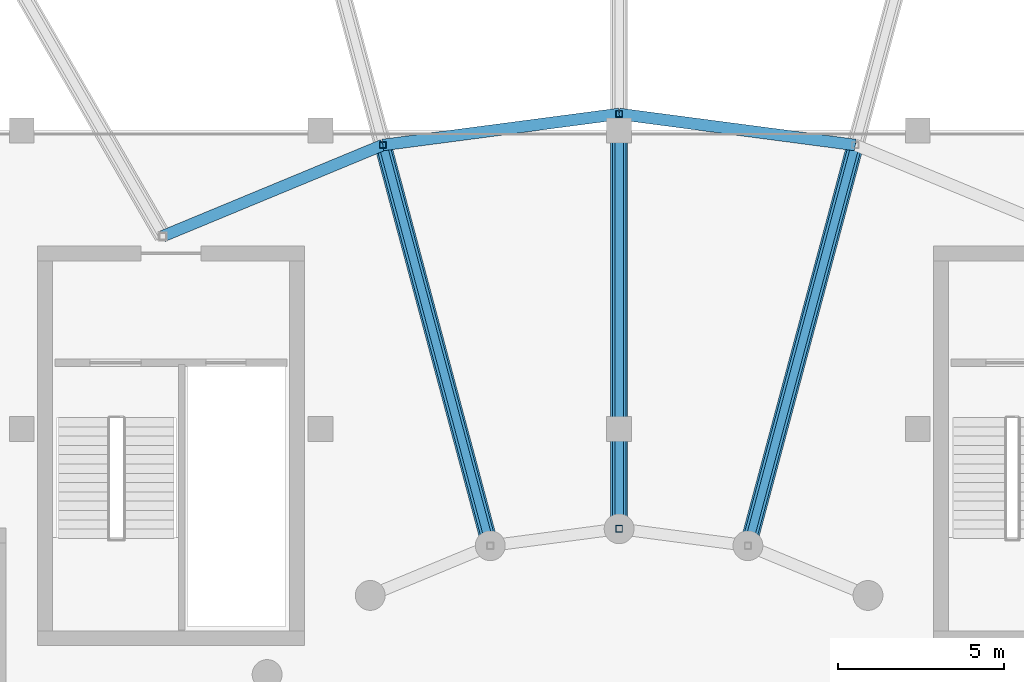
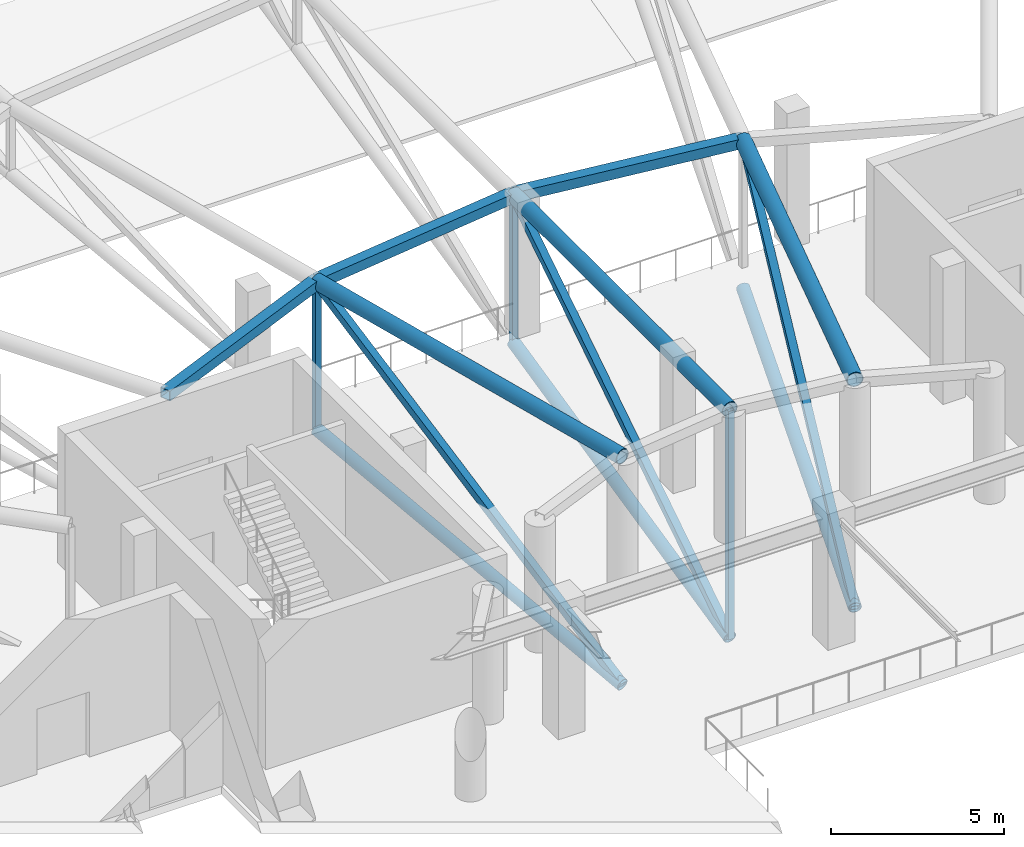
# One storey, part 75 of 167: 15 members.
"""IFC4 building model written with IfcOpenShell, lengths in metres."""

from ifc_helpers import new_model, si_unit, direction, frame, origin, origin_2d, place, context, subcontext, project, spatial, hollow_rectangle, hollow_circle, extrude, material, material_profile, profile_set, type_object, element, save


model = new_model("IFC4")

# Units and contexts
model_context = context("Model", 3, precision=1e-05, world=origin(), true_north=direction((0.0, 1.0)))
body_context = subcontext(model_context, "Body", "Model", "MODEL_VIEW")
ifc_project = project(units=[si_unit("LENGTHUNIT", "METRE"), si_unit("AREAUNIT", "SQUARE_METRE"), si_unit("VOLUMEUNIT", "CUBIC_METRE"), si_unit("PLANEANGLEUNIT", "RADIAN"), si_unit("MASSUNIT", "GRAM", prefix="KILO")], contexts=[model_context])

# Site, building, storey
site_placement = place(None, origin())
site = spatial("IfcSite", under=ifc_project, at=site_placement, CompositionType="ELEMENT")
building_placement = place(site_placement, origin())
building = spatial("IfcBuilding", under=site, at=building_placement, Name="Dornveld Trade and Exhibition Forum", CompositionType="ELEMENT")
storey_placement = place(building_placement, frame((0.0, 0.0, 16.800048828125)))
storey = spatial("IfcBuildingStorey", under=building, at=storey_placement, Name="L03", CompositionType="ELEMENT", Elevation=16.800048828125)

# Members
ifc_material_1 = material(Name="Steel S355J2", Category="steel")
ifc_material_profile_1 = material_profile(ifc_material_1, hollow_circle(Radius=0.203125, WallThickness=0.02001953125, at=origin_2d()), Name="CHS 406.4x20")
ifc_profile_set_1 = profile_set([ifc_material_profile_1], Name="Steel S355J2")
member_type_1 = type_object("IfcMemberType", Name="MEM-DISC-BC", PredefinedType="CHORD", material=ifc_profile_set_1)
member_1_placement = place(storey_placement, frame((120.88232421875, 95.489013671875, -3.60009765625), z_axis=(0.252388398321, 0.941956700549, 0.221399346622), x_axis=(-0.965927912762, 0.258811258154, 0.0)))
element("IfcMember", 1, at=member_1_placement, inside=storey, type_object=member_type_1, Name="Roof disc radial R06 conical bottom chord 1", PredefinedType="CHORD", context=body_context, shape_type="SweptSolid", body=[
    extrude(hollow_circle(Radius=0.203125, WallThickness=0.02001953125, at=origin_2d()), origin(), (0.0, 0.0, 1.0), 12.81787109375),
])
member_2_placement = place(storey_placement, frame((117.0, 96.0, -3.60009765625), z_axis=(0.0, 0.975183720687, 0.221397179087), x_axis=(-1.0, 0.0, 0.0)))
element("IfcMember", 2, at=member_2_placement, inside=storey, type_object=member_type_1, Name="Roof disc radial R07 conical bottom chord 1", PredefinedType="CHORD", context=body_context, shape_type="SweptSolid", body=[
    extrude(hollow_circle(Radius=0.203125, WallThickness=0.02001953125, at=origin_2d()), origin(), (0.0, 0.0, 1.0), 12.818115234375),
])
member_3_placement = place(storey_placement, frame((113.11767578125, 95.489013671875, -3.60009765625), z_axis=(-0.252388398321, 0.941956700549, 0.221399346622), x_axis=(-0.965927912762, -0.258811258154, 0.0)))
element("IfcMember", 3, at=member_3_placement, inside=storey, type_object=member_type_1, Name="Roof disc radial R08 conical bottom chord 1", PredefinedType="CHORD", context=body_context, shape_type="SweptSolid", body=[
    extrude(hollow_circle(Radius=0.203125, WallThickness=0.02001953125, at=origin_2d()), origin(), (0.0, 0.0, 1.0), 12.81787109375),
])
ifc_material_2 = material(Name="Steel S355J2", Category="steel")
ifc_material_profile_2 = material_profile(ifc_material_2, hollow_rectangle(XDim=0.35009765625, YDim=0.35009765625, WallThickness=0.01611328125, at=origin_2d()), Name="SHS 350x350x16")
ifc_profile_set_2 = profile_set([ifc_material_profile_2], Name="Steel S355J2")
member_type_2 = type_object("IfcMemberType", Name="MEM-DISC-RING", PredefinedType="CHORD", material=ifc_profile_set_2)
for number, where, z_axis, x_axis, name in (
    (4, (124.117431640625, 107.56298828125, 4.449951171875), (-0.99144514859, 0.130524010575, 0.0), (-0.130524010575, -0.99144514859, 0.0), "Roof disc ring 2 chord 6"),
    (5, (117.0, 108.5, 4.449951171875), (-0.99144514859, -0.130524010575, 0.0), (0.130524010575, -0.99144514859, 0.0), "Roof disc ring 2 chord 7"),
    (6, (109.882568359375, 107.56298828125, 4.449951171875), (-0.923878809288, -0.382685178375, 0.0), (0.382685178375, -0.923878809288, 0.0), "Roof disc ring 2 chord 8"),
):
    element("IfcMember", number, at=place(storey_placement, frame(where, z_axis=z_axis, x_axis=x_axis)), inside=storey, type_object=member_type_2, Name=name, PredefinedType="CHORD", context=body_context, shape_type="SweptSolid", body=[
        extrude(hollow_rectangle(XDim=0.35009765625, YDim=0.35009765625, WallThickness=0.01611328125, at=origin_2d()), origin(), (0.0, 0.0, 1.0), 7.178955078125),
    ])
ifc_material_3 = material(Name="Steel S355J2", Category="steel")
ifc_material_profile_3 = material_profile(ifc_material_3, hollow_rectangle(XDim=0.199951171875, YDim=0.199951171875, WallThickness=0.010009765625, at=origin_2d()), Name="SHS 200x200x10")
ifc_profile_set_3 = profile_set([ifc_material_profile_3], Name="Steel S355J2")
member_type_3 = type_object("IfcMemberType", Name="MEM-DISC-STR", PredefinedType="STRUT", material=ifc_profile_set_3)
member_4_placement = place(storey_placement, frame((117.0, 96.0, -3.60009765625), z_axis=(0.0, 0.0, 1.0), x_axis=(1.0, 0.0, 0.0)))
element("IfcMember", 7, at=member_4_placement, inside=storey, type_object=member_type_3, Name="Roof disc radial R07 strut 1", PredefinedType="STRUT", context=body_context, shape_type="SweptSolid", body=[
    extrude(hollow_rectangle(XDim=0.199951171875, YDim=0.199951171875, WallThickness=0.010009765625, at=origin_2d()), origin(), (0.0, 0.0, 1.0), 8.050048828125),
])
for number, where, z_axis, x_axis, name in (
    (8, (117.0, 108.5, -0.76220703125), (0.0, 0.0, 1.0), (1.0, 0.0, 0.0), "Roof disc radial R07 strut 2"),
    (9, (109.882568359375, 107.56298828125, -0.76220703125), (0.0, 0.0, 1.0), (1.0, 0.0, 0.0), "Roof disc radial R08 strut 2"),
):
    element("IfcMember", number, at=place(storey_placement, frame(where, z_axis=z_axis, x_axis=x_axis)), inside=storey, type_object=member_type_3, Name=name, PredefinedType="STRUT", context=body_context, shape_type="SweptSolid", body=[
        extrude(hollow_rectangle(XDim=0.199951171875, YDim=0.199951171875, WallThickness=0.010009765625, at=origin_2d()), origin(), (0.0, 0.0, 1.0), 5.212158203125),
    ])
ifc_material_4 = material(Name="Steel S355J2", Category="steel")
ifc_material_profile_4 = material_profile(ifc_material_4, hollow_circle(Radius=0.25390625, WallThickness=0.02490234375, at=origin_2d()), Name="CHS 508x25")
ifc_profile_set_4 = profile_set([ifc_material_profile_4], Name="Steel S355J2")
member_type_4 = type_object("IfcMemberType", Name="MEM-DISC-TC", PredefinedType="CHORD", material=ifc_profile_set_4)
member_5_placement = place(storey_placement, frame((120.88232421875, 95.489013671875, 4.449951171875), z_axis=(0.258811258154, 0.965927912762, 0.0), x_axis=(-0.965927912762, 0.258811258154, 0.0)))
element("IfcMember", 10, at=member_5_placement, inside=storey, type_object=member_type_4, Name="Roof disc radial R06 top chord 1", PredefinedType="CHORD", context=body_context, shape_type="SweptSolid", body=[
    extrude(hollow_circle(Radius=0.25390625, WallThickness=0.02490234375, at=origin_2d()), origin(), (0.0, 0.0, 1.0), 12.499755859375),
])
member_6_placement = place(storey_placement, frame((117.0, 96.0, 4.449951171875), z_axis=(0.0, 1.0, 0.0), x_axis=(-1.0, 0.0, 0.0)))
element("IfcMember", 11, at=member_6_placement, inside=storey, type_object=member_type_4, Name="Roof disc radial R07 top chord 1", PredefinedType="CHORD", context=body_context, shape_type="SweptSolid", body=[
    extrude(hollow_circle(Radius=0.25390625, WallThickness=0.02490234375, at=origin_2d()), origin(), (0.0, 0.0, 1.0), 12.5),
])
member_7_placement = place(storey_placement, frame((113.11767578125, 95.489013671875, 4.449951171875), z_axis=(-0.258811258154, 0.965927912762, 0.0), x_axis=(-0.965927912762, -0.258811258154, 0.0)))
element("IfcMember", 12, at=member_7_placement, inside=storey, type_object=member_type_4, Name="Roof disc radial R08 top chord 1", PredefinedType="CHORD", context=body_context, shape_type="SweptSolid", body=[
    extrude(hollow_circle(Radius=0.25390625, WallThickness=0.02490234375, at=origin_2d()), origin(), (0.0, 0.0, 1.0), 12.499755859375),
])
ifc_material_5 = material(Name="Steel S355J2", Category="steel")
ifc_material_profile_5 = material_profile(ifc_material_5, hollow_rectangle(XDim=0.25, YDim=0.25, WallThickness=0.012451171875, at=origin_2d()), Name="SHS 250x250x12.5")
ifc_profile_set_5 = profile_set([ifc_material_profile_5], Name="Steel S355J2")
member_type_5 = type_object("IfcMemberType", Name="MEM-DISC-WEB", PredefinedType="BRACE", material=ifc_profile_set_5)
member_8_placement = place(storey_placement, frame((120.88232421875, 95.489013671875, -3.60009765625), z_axis=(0.217592227741, 0.812091436338, 0.541443553339), x_axis=(-0.965927912762, 0.258811258154, 0.0)))
element("IfcMember", 13, at=member_8_placement, inside=storey, type_object=member_type_5, Name="Roof disc radial R06 web 1", PredefinedType="BRACE", context=body_context, shape_type="SweptSolid", body=[
    extrude(hollow_rectangle(XDim=0.25, YDim=0.25, WallThickness=0.012451171875, at=origin_2d()), origin(), (0.0, 0.0, 1.0), 14.86767578125),
])
member_9_placement = place(storey_placement, frame((117.0, 96.0, -3.60009765625), z_axis=(0.0, 0.840739641667, 0.541439613373), x_axis=(-1.0, 0.0, 0.0)))
element("IfcMember", 14, at=member_9_placement, inside=storey, type_object=member_type_5, Name="Roof disc radial R07 web 1", PredefinedType="BRACE", context=body_context, shape_type="SweptSolid", body=[
    extrude(hollow_rectangle(XDim=0.25, YDim=0.25, WallThickness=0.012451171875, at=origin_2d()), origin(), (0.0, 0.0, 1.0), 14.867919921875),
])
member_10_placement = place(storey_placement, frame((113.11767578125, 95.489013671875, -3.60009765625), z_axis=(-0.217592227741, 0.812091436338, 0.541443553339), x_axis=(-0.965927912762, -0.258811258154, 0.0)))
element("IfcMember", 15, at=member_10_placement, inside=storey, type_object=member_type_5, Name="Roof disc radial R08 web 1", PredefinedType="BRACE", context=body_context, shape_type="SweptSolid", body=[
    extrude(hollow_rectangle(XDim=0.25, YDim=0.25, WallThickness=0.012451171875, at=origin_2d()), origin(), (0.0, 0.0, 1.0), 14.86767578125),
])

save(model, "model.ifc")
